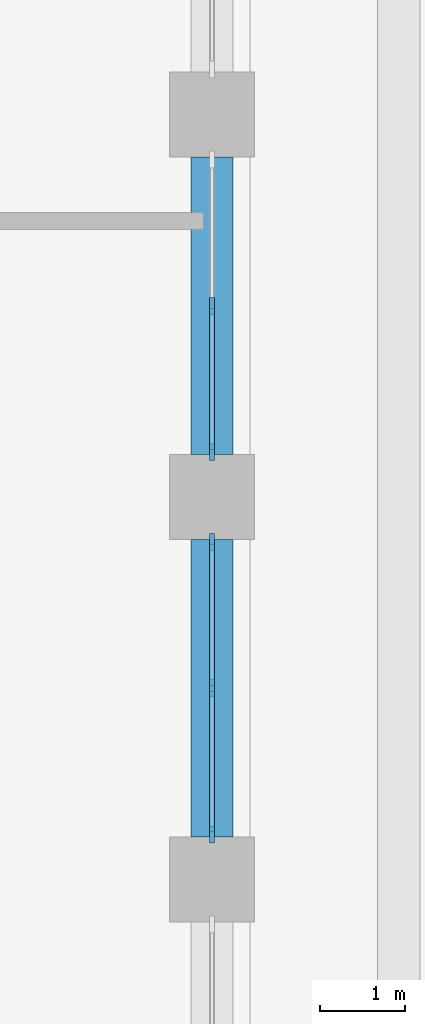
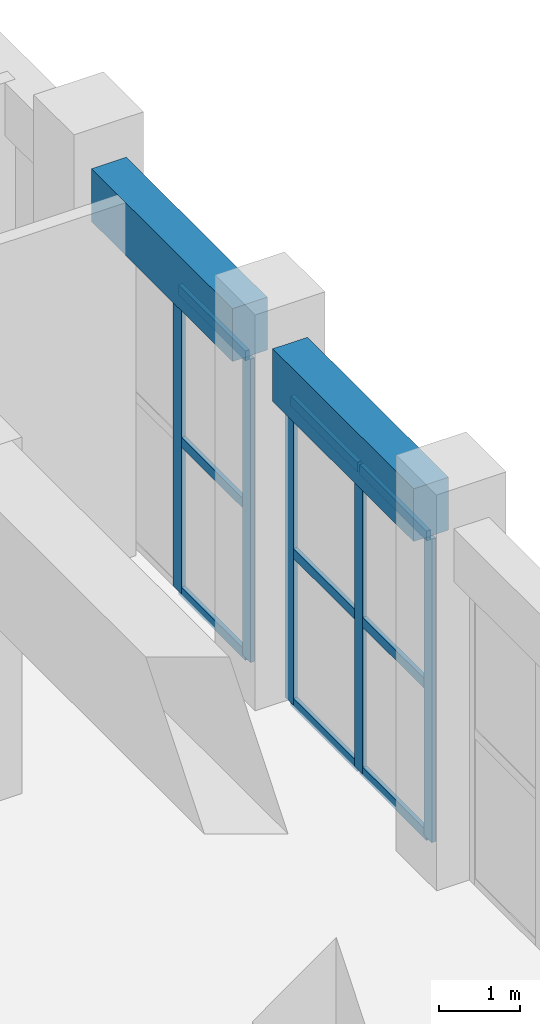
# One storey, part 5 of 25: 14 members, 2 beams, 2 elements without a shape of their own.
"""IFC4 building model written with IfcOpenShell, lengths in metres."""

from ifc_helpers import new_model, si_unit, direction, frame, origin, origin_2d, place, context, subcontext, project, spatial, rectangle, extrude, material, material_profile, profile_set, type_object, element, aggregate, save


model = new_model("IFC4")

# Units and contexts
model_context = context("Model", 3, precision=1e-05, world=origin(), true_north=direction((0.0, 1.0)))
body_context = subcontext(model_context, "Body", "Model", "MODEL_VIEW")
ifc_project = project(units=[si_unit("LENGTHUNIT", "METRE"), si_unit("AREAUNIT", "SQUARE_METRE"), si_unit("VOLUMEUNIT", "CUBIC_METRE"), si_unit("PLANEANGLEUNIT", "RADIAN"), si_unit("MASSUNIT", "GRAM", prefix="KILO")], contexts=[model_context])

# Site, building, storey
site_placement = place(None, origin())
site = spatial("IfcSite", under=ifc_project, at=site_placement, CompositionType="ELEMENT")
building_placement = place(site_placement, origin())
building = spatial("IfcBuilding", under=site, at=building_placement, Name="Corbel Stack Research Tower", CompositionType="ELEMENT")
storey_placement = place(building_placement, frame((0.0, 0.0, 220.199951171875)))
storey = spatial("IfcBuildingStorey", under=building, at=storey_placement, Name="L50", CompositionType="ELEMENT", Elevation=220.199951171875)

# Curtain wall, members
ifc_material_1 = material(Name="Aluminium frame, clear glass", Category="aluminium")
curtain_wall_type = type_object("IfcCurtainWallType", Name="Upper amenity floor curtain wall CW3", PredefinedType="NOTDEFINED", material=ifc_material_1)
curtain_wall_1_placement = place(storey_placement, origin())
curtain_wall_1 = element("IfcCurtainWall", 1, at=curtain_wall_1_placement, inside=storey, type_object=curtain_wall_type, Name="Curtain wall CW3 L50 E05", PredefinedType="NOTDEFINED")
ifc_material_2 = material(Name="Aluminium mullion", Category="aluminium")
ifc_material_profile_1 = material_profile(ifc_material_2, rectangle(XDim=0.06005859375, YDim=0.199951171875, at=origin_2d()), Name="Mullion 60 x 200")
ifc_profile_set_1 = profile_set([ifc_material_profile_1], Name="Aluminium mullion")
member_type_1 = type_object("IfcMemberType", Name="Curtain wall mullion 60 x 200", PredefinedType="MULLION", material=ifc_profile_set_1)
member_1_placement = place(storey_placement, frame((31.5, -3.969970703125, 0.0), z_axis=(0.0, 0.0, 1.0), x_axis=(-1.0, 0.0, 0.0)))
member_1 = element("IfcMember", 2, at=member_1_placement, type_object=member_type_1, Name="CW3 mullion 1", PredefinedType="MULLION", context=body_context, shape_type="SweptSolid", body=[
    extrude(rectangle(XDim=0.06005859375, YDim=0.199951171875, at=origin_2d()), origin(), (0.0, 0.0, 1.0), 4.60009765625),
])
member_2_placement = place(storey_placement, frame((31.5, -2.25, 0.0), z_axis=(0.0, 0.0, 1.0), x_axis=(-1.0, 0.0, 0.0)))
member_2 = element("IfcMember", 3, at=member_2_placement, type_object=member_type_1, Name="CW3 mullion 2", PredefinedType="MULLION", context=body_context, shape_type="SweptSolid", body=[
    extrude(rectangle(XDim=0.06005859375, YDim=0.199951171875, at=origin_2d()), origin(), (0.0, 0.0, 1.0), 4.60009765625),
])
member_3_placement = place(storey_placement, frame((31.5, -0.530029296875, 0.0), z_axis=(0.0, 0.0, 1.0), x_axis=(-1.0, 0.0, 0.0)))
member_3 = element("IfcMember", 4, at=member_3_placement, type_object=member_type_1, Name="CW3 mullion 3", PredefinedType="MULLION", context=body_context, shape_type="SweptSolid", body=[
    extrude(rectangle(XDim=0.06005859375, YDim=0.199951171875, at=origin_2d()), origin(), (0.0, 0.0, 1.0), 4.60009765625),
])

curtain_wall_2_placement = place(storey_placement, origin())
curtain_wall_2 = element("IfcCurtainWall", 5, at=curtain_wall_2_placement, inside=storey, type_object=curtain_wall_type, Name="Curtain wall CW3 L50 E06", PredefinedType="NOTDEFINED")
member_4_placement = place(storey_placement, frame((31.5, 0.530029296875, 0.0), z_axis=(0.0, 0.0, 1.0), x_axis=(-1.0, 0.0, 0.0)))
member_4 = element("IfcMember", 6, at=member_4_placement, type_object=member_type_1, Name="CW3 mullion 1", PredefinedType="MULLION", context=body_context, shape_type="SweptSolid", body=[
    extrude(rectangle(XDim=0.06005859375, YDim=0.199951171875, at=origin_2d()), origin(), (0.0, 0.0, 1.0), 4.60009765625),
])
member_5_placement = place(storey_placement, frame((31.5, 2.25, 0.0), z_axis=(0.0, 0.0, 1.0), x_axis=(-1.0, 0.0, 0.0)))
member_5 = element("IfcMember", 7, at=member_5_placement, type_object=member_type_1, Name="CW3 mullion 2", PredefinedType="MULLION", context=body_context, shape_type="SweptSolid", body=[
    extrude(rectangle(XDim=0.06005859375, YDim=0.199951171875, at=origin_2d()), origin(), (0.0, 0.0, 1.0), 4.60009765625),
])

# Member
ifc_material_3 = material(Name="Aluminium transom", Category="aluminium")
ifc_material_profile_2 = material_profile(ifc_material_3, rectangle(XDim=0.06005859375, YDim=0.14990234375, at=origin_2d()), Name="Transom 60 x 150")
ifc_profile_set_2 = profile_set([ifc_material_profile_2], Name="Aluminium transom")
member_type_2 = type_object("IfcMemberType", Name="Curtain wall transom 60 x 150", PredefinedType="USERDEFINED", material=ifc_profile_set_2)
member_6_placement = place(storey_placement, frame((31.5, -3.93994140625, 0.030029296875), z_axis=(0.0, 1.0, 0.0), x_axis=(-1.0, 0.0, 0.0)))
member_6 = element("IfcMember", 8, at=member_6_placement, type_object=member_type_2, Name="CW3 transom 1.1", ObjectType="TRANSOM", PredefinedType="USERDEFINED", context=body_context, shape_type="SweptSolid", body=[
    extrude(rectangle(XDim=0.06005859375, YDim=0.14990234375, at=origin_2d()), origin(), (0.0, 0.0, 1.0), 1.659912109375),
])

member_7_placement = place(storey_placement, frame((31.5, -3.93994140625, 2.300048828125), z_axis=(0.0, 1.0, 0.0), x_axis=(-1.0, 0.0, 0.0)))
member_7 = element("IfcMember", 9, at=member_7_placement, type_object=member_type_2, Name="CW3 transom 1.2", ObjectType="TRANSOM", PredefinedType="USERDEFINED", context=body_context, shape_type="SweptSolid", body=[
    extrude(rectangle(XDim=0.06005859375, YDim=0.14990234375, at=origin_2d()), origin(), (0.0, 0.0, 1.0), 1.659912109375),
])

member_8_placement = place(storey_placement, frame((31.5, -3.93994140625, 4.570068359375), z_axis=(0.0, 1.0, 0.0), x_axis=(-1.0, 0.0, 0.0)))
member_8 = element("IfcMember", 10, at=member_8_placement, type_object=member_type_2, Name="CW3 transom 1.3", ObjectType="TRANSOM", PredefinedType="USERDEFINED", context=body_context, shape_type="SweptSolid", body=[
    extrude(rectangle(XDim=0.06005859375, YDim=0.14990234375, at=origin_2d()), origin(), (0.0, 0.0, 1.0), 1.659912109375),
])

member_9_placement = place(storey_placement, frame((31.5, -2.219970703125, 0.030029296875), z_axis=(0.0, 1.0, 0.0), x_axis=(-1.0, 0.0, 0.0)))
member_9 = element("IfcMember", 11, at=member_9_placement, type_object=member_type_2, Name="CW3 transom 2.1", ObjectType="TRANSOM", PredefinedType="USERDEFINED", context=body_context, shape_type="SweptSolid", body=[
    extrude(rectangle(XDim=0.06005859375, YDim=0.14990234375, at=origin_2d()), origin(), (0.0, 0.0, 1.0), 1.659912109375),
])

member_10_placement = place(storey_placement, frame((31.5, -2.219970703125, 2.300048828125), z_axis=(0.0, 1.0, 0.0), x_axis=(-1.0, 0.0, 0.0)))
member_10 = element("IfcMember", 12, at=member_10_placement, type_object=member_type_2, Name="CW3 transom 2.2", ObjectType="TRANSOM", PredefinedType="USERDEFINED", context=body_context, shape_type="SweptSolid", body=[
    extrude(rectangle(XDim=0.06005859375, YDim=0.14990234375, at=origin_2d()), origin(), (0.0, 0.0, 1.0), 1.659912109375),
])

member_11_placement = place(storey_placement, frame((31.5, -2.219970703125, 4.570068359375), z_axis=(0.0, 1.0, 0.0), x_axis=(-1.0, 0.0, 0.0)))
member_11 = element("IfcMember", 13, at=member_11_placement, type_object=member_type_2, Name="CW3 transom 2.3", ObjectType="TRANSOM", PredefinedType="USERDEFINED", context=body_context, shape_type="SweptSolid", body=[
    extrude(rectangle(XDim=0.06005859375, YDim=0.14990234375, at=origin_2d()), origin(), (0.0, 0.0, 1.0), 1.659912109375),
])

aggregate(curtain_wall_1, [member_1, member_2, member_3, member_6, member_7, member_8, member_9, member_10, member_11])

member_12_placement = place(storey_placement, frame((31.5, 0.56005859375, 0.030029296875), z_axis=(0.0, 1.0, 0.0), x_axis=(-1.0, 0.0, 0.0)))
member_12 = element("IfcMember", 14, at=member_12_placement, type_object=member_type_2, Name="CW3 transom 1.1", ObjectType="TRANSOM", PredefinedType="USERDEFINED", context=body_context, shape_type="SweptSolid", body=[
    extrude(rectangle(XDim=0.06005859375, YDim=0.14990234375, at=origin_2d()), origin(), (0.0, 0.0, 1.0), 1.659912109375),
])

member_13_placement = place(storey_placement, frame((31.5, 0.56005859375, 2.300048828125), z_axis=(0.0, 1.0, 0.0), x_axis=(-1.0, 0.0, 0.0)))
member_13 = element("IfcMember", 15, at=member_13_placement, type_object=member_type_2, Name="CW3 transom 1.2", ObjectType="TRANSOM", PredefinedType="USERDEFINED", context=body_context, shape_type="SweptSolid", body=[
    extrude(rectangle(XDim=0.06005859375, YDim=0.14990234375, at=origin_2d()), origin(), (0.0, 0.0, 1.0), 1.659912109375),
])

member_14_placement = place(storey_placement, frame((31.5, 0.56005859375, 4.570068359375), z_axis=(0.0, 1.0, 0.0), x_axis=(-1.0, 0.0, 0.0)))
member_14 = element("IfcMember", 16, at=member_14_placement, type_object=member_type_2, Name="CW3 transom 1.3", ObjectType="TRANSOM", PredefinedType="USERDEFINED", context=body_context, shape_type="SweptSolid", body=[
    extrude(rectangle(XDim=0.06005859375, YDim=0.14990234375, at=origin_2d()), origin(), (0.0, 0.0, 1.0), 1.659912109375),
])

aggregate(curtain_wall_2, [member_4, member_5, member_12, member_13, member_14])

# Beams
ifc_material_4 = material(Name="Concrete C60/75", Category="concrete")
ifc_material_profile_3 = material_profile(ifc_material_4, rectangle(XDim=0.5, YDim=0.800048828125, at=origin_2d()), Name="RC 500 x 800")
ifc_profile_set_3 = profile_set([ifc_material_profile_3], Name="Concrete C60/75")
beam_type = type_object("IfcBeamType", Name="SB-500-800-600", PredefinedType="SPANDREL", material=ifc_profile_set_3)
for number, where, z_axis, x_axis, name in (
    (17, (31.5, -4.0, 5.0), (0.0, 1.0, 0.0), (-1.0, 0.0, 0.0), "Spandrel beam L50-16"),
    (18, (31.5, 0.5, 5.0), (0.0, 1.0, 0.0), (-1.0, 0.0, 0.0), "Spandrel beam L50-17"),
):
    element("IfcBeam", number, at=place(storey_placement, frame(where, z_axis=z_axis, x_axis=x_axis)), inside=storey, type_object=beam_type, Name=name, PredefinedType="SPANDREL", context=body_context, shape_type="SweptSolid", body=[
        extrude(rectangle(XDim=0.5, YDim=0.800048828125, at=origin_2d()), origin(), (0.0, 0.0, 1.0), 3.5),
    ])

save(model, "model.ifc")
